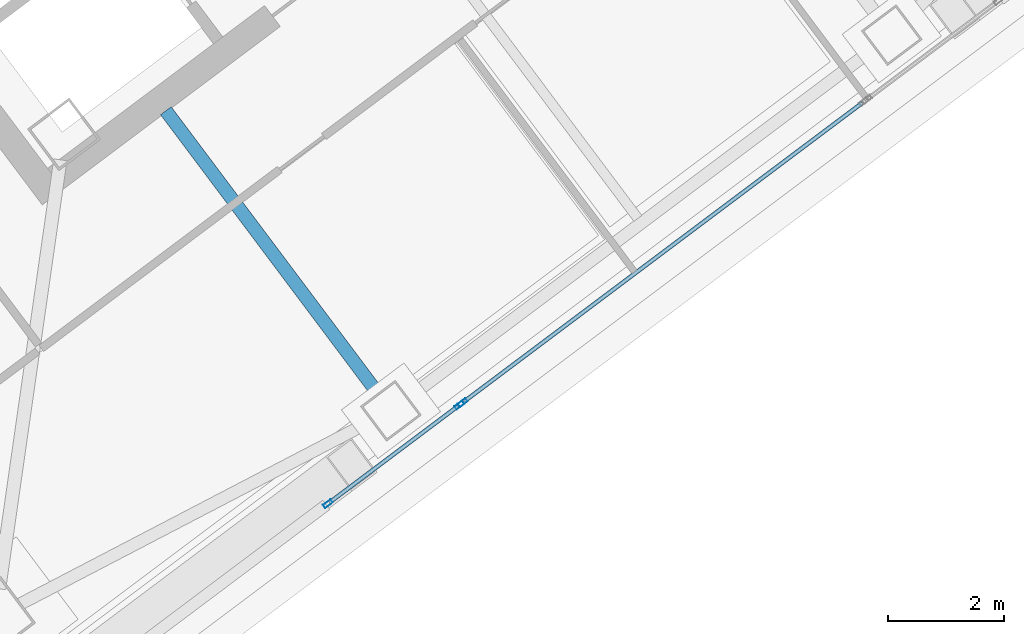
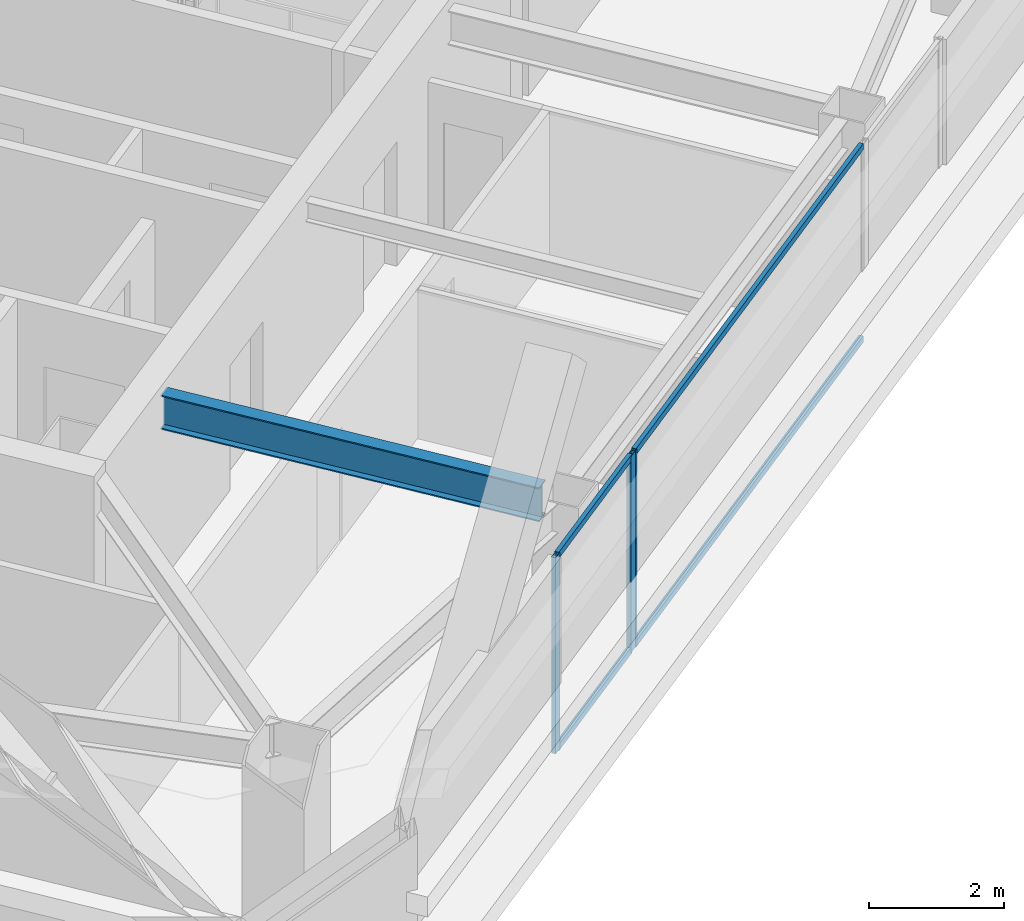
# One storey, part 22 of 39: 7 members, 1 beam, 2 elements without a shape of their own.
"""IFC4 building model written with IfcOpenShell, lengths in metres."""

from ifc_helpers import new_model, si_unit, direction, frame, origin, origin_2d, place, context, subcontext, project, spatial, hollow_rectangle, i_section, extrude, material, material_profile, profile_set, type_object, element, aggregate, save


model = new_model("IFC4")

# Units and contexts
model_context = context("Model", 3, precision=1e-05, world=origin(), true_north=direction((0.0, 1.0)))
body_context = subcontext(model_context, "Body", "Model", "MODEL_VIEW")
ifc_project = project(units=[si_unit("LENGTHUNIT", "METRE"), si_unit("AREAUNIT", "SQUARE_METRE"), si_unit("VOLUMEUNIT", "CUBIC_METRE"), si_unit("PLANEANGLEUNIT", "RADIAN"), si_unit("MASSUNIT", "GRAM", prefix="KILO")], contexts=[model_context])

# Site, building, storey
site_placement = place(None, origin())
site = spatial("IfcSite", under=ifc_project, at=site_placement, CompositionType="ELEMENT")
building_placement = place(site_placement, origin())
building = spatial("IfcBuilding", under=site, at=building_placement, Name="Tashvorn Skyway Center", CompositionType="ELEMENT")
storey_placement = place(building_placement, frame((0.0, 0.0, 232.60009765625)))
storey = spatial("IfcBuildingStorey", under=building, at=storey_placement, Name="L63", CompositionType="ELEMENT", Elevation=232.60009765625)

# Beam
ifc_material_1 = material(Name="Steel ASTM A992 Grade 50", Category="steel")
ifc_material_profile_1 = material_profile(ifc_material_1, i_section(OverallWidth=0.22998046875, OverallDepth=0.616943359375, WebThickness=0.01318359375, FlangeThickness=0.022216796875, at=origin_2d()), Name="W24X94")
ifc_profile_set_1 = profile_set([ifc_material_profile_1], Name="Steel ASTM A992 Grade 50")
beam_type = type_object("IfcBeamType", Name="BM-BEAM-W24X94", PredefinedType="BEAM", material=ifc_profile_set_1)
beam_placement = place(storey_placement, frame((118.008056640625, 17.656005859375, 3.0615234375), z_axis=(-0.600025614447, 0.799980788524, 0.0), x_axis=(-0.799980788524, -0.600025614447, 0.0)))
element("IfcBeam", 1, at=beam_placement, inside=storey, type_object=beam_type, Name="Tower 2 L63 Primary Floor Girder FC-S1", PredefinedType="BEAM", context=body_context, shape_type="SweptSolid", body=[
    extrude(i_section(OverallWidth=0.22998046875, OverallDepth=0.616943359375, WebThickness=0.01318359375, FlangeThickness=0.022216796875, at=origin_2d()), origin(), (0.0, 0.0, 1.0), 6.10009765625),
])

# Curtain wall, member
ifc_material_2 = material(Name="Thermally broken bronze-anodized aluminium 6063-T6", Category="aluminium")
curtain_wall_type = type_object("IfcCurtainWallType", Name="CW-CW-Z5", PredefinedType="NOTDEFINED", material=ifc_material_2)
curtain_wall_1_placement = place(storey_placement, origin())
curtain_wall_1 = element("IfcCurtainWall", 2, at=curtain_wall_1_placement, inside=storey, type_object=curtain_wall_type, Name="Tower 2 L63 South Unitised Curtain Wall Glazing Group 2", PredefinedType="NOTDEFINED")
ifc_material_profile_2 = material_profile(ifc_material_2, hollow_rectangle(XDim=0.070068359375, YDim=0.1650390625, WallThickness=0.00390625, at=origin_2d()), Name="ALU-MULL-70x165")
ifc_profile_set_2 = profile_set([ifc_material_profile_2], Name="Thermally broken bronze-anodized aluminium 6063-T6")
member_type_1 = type_object("IfcMemberType", Name="CWM-CW-Z5", PredefinedType="MULLION", material=ifc_profile_set_2)
member_1_placement = place(storey_placement, frame((119.468017578125, 17.5009765625, 0.0), z_axis=(0.0, 0.0, 1.0), x_axis=(0.600000000002, -0.799999999998, 0.0)))
member_1 = element("IfcMember", 3, at=member_1_placement, type_object=member_type_1, Name="CW-Z5 mullion 2", PredefinedType="MULLION", context=body_context, shape_type="SweptSolid", body=[
    extrude(hollow_rectangle(XDim=0.070068359375, YDim=0.1650390625, WallThickness=0.00390625, at=origin_2d()), origin(), (0.0, 0.0, 1.0), 3.5498046875),
])

# Curtain wall, members
curtain_wall_2_placement = place(storey_placement, origin())
curtain_wall_2 = element("IfcCurtainWall", 4, at=curtain_wall_2_placement, inside=storey, type_object=curtain_wall_type, Name="Tower 2 L63 South Unitised Curtain Wall Glazing Group 3", PredefinedType="NOTDEFINED")
member_2_placement = place(storey_placement, frame((119.412109375, 17.458984375, 0.0), z_axis=(0.0, 0.0, 1.0), x_axis=(0.600005504617, -0.799995871508, 0.0)))
member_2 = element("IfcMember", 5, at=member_2_placement, type_object=member_type_1, Name="CW-Z5 mullion 1", PredefinedType="MULLION", context=body_context, shape_type="SweptSolid", body=[
    extrude(hollow_rectangle(XDim=0.070068359375, YDim=0.1650390625, WallThickness=0.00390625, at=origin_2d()), origin(), (0.0, 0.0, 1.0), 3.5498046875),
])
member_3_placement = place(storey_placement, frame((117.142578125, 15.757080078125, 0.0), z_axis=(0.0, 0.0, 1.0), x_axis=(0.600005504617, -0.799995871508, 0.0)))
member_3 = element("IfcMember", 6, at=member_3_placement, type_object=member_type_1, Name="CW-Z5 mullion 2", PredefinedType="MULLION", context=body_context, shape_type="SweptSolid", body=[
    extrude(hollow_rectangle(XDim=0.070068359375, YDim=0.1650390625, WallThickness=0.00390625, at=origin_2d()), origin(), (0.0, 0.0, 1.0), 3.5498046875),
])

# Member
ifc_material_profile_3 = material_profile(ifc_material_2, hollow_rectangle(XDim=0.070068359375, YDim=0.114990234375, WallThickness=0.00390625, at=origin_2d()), Name="ALU-TRAN-70x115")
ifc_profile_set_3 = profile_set([ifc_material_profile_3], Name="Thermally broken bronze-anodized aluminium 6063-T6")
member_type_2 = type_object("IfcMemberType", Name="CWT-CW-Z5", PredefinedType="USERDEFINED", material=ifc_profile_set_3)
member_4_placement = place(storey_placement, frame((126.360107421875, 22.669921875, 0.034912109375), z_axis=(-0.800003414549, -0.599995447241, 0.0), x_axis=(0.599995447241, -0.800003414549, 0.0)))
member_4 = element("IfcMember", 7, at=member_4_placement, type_object=member_type_2, Name="CW-Z5 transom 1.1", ObjectType="TRANSOM", PredefinedType="USERDEFINED", context=body_context, shape_type="SweptSolid", body=[
    extrude(hollow_rectangle(XDim=0.070068359375, YDim=0.114990234375, WallThickness=0.00390625, at=origin_2d()), origin(), (0.0, 0.0, 1.0), 8.580078125),
])

member_5_placement = place(storey_placement, frame((126.360107421875, 22.669921875, 3.514892578125), z_axis=(-0.800003414549, -0.599995447241, 0.0), x_axis=(0.599995447241, -0.800003414549, 0.0)))
member_5 = element("IfcMember", 8, at=member_5_placement, type_object=member_type_2, Name="CW-Z5 transom 1.2", ObjectType="TRANSOM", PredefinedType="USERDEFINED", context=body_context, shape_type="SweptSolid", body=[
    extrude(hollow_rectangle(XDim=0.070068359375, YDim=0.114990234375, WallThickness=0.00390625, at=origin_2d()), origin(), (0.0, 0.0, 1.0), 8.580078125),
])

aggregate(curtain_wall_1, [member_1, member_4, member_5])

member_6_placement = place(storey_placement, frame((119.384033203125, 17.43798828125, 0.034912109375), z_axis=(-0.80002117809, -0.599971761508, 0.0), x_axis=(0.599971761508, -0.80002117809, 0.0)))
member_6 = element("IfcMember", 9, at=member_6_placement, type_object=member_type_2, Name="CW-Z5 transom 1.1", ObjectType="TRANSOM", PredefinedType="USERDEFINED", context=body_context, shape_type="SweptSolid", body=[
    extrude(hollow_rectangle(XDim=0.070068359375, YDim=0.114990234375, WallThickness=0.00390625, at=origin_2d()), origin(), (0.0, 0.0, 1.0), 2.7666015625),
])

member_7_placement = place(storey_placement, frame((119.384033203125, 17.43798828125, 3.514892578125), z_axis=(-0.80002117809, -0.599971761508, 0.0), x_axis=(0.599971761508, -0.80002117809, 0.0)))
member_7 = element("IfcMember", 10, at=member_7_placement, type_object=member_type_2, Name="CW-Z5 transom 1.2", ObjectType="TRANSOM", PredefinedType="USERDEFINED", context=body_context, shape_type="SweptSolid", body=[
    extrude(hollow_rectangle(XDim=0.070068359375, YDim=0.114990234375, WallThickness=0.00390625, at=origin_2d()), origin(), (0.0, 0.0, 1.0), 2.7666015625),
])

aggregate(curtain_wall_2, [member_2, member_3, member_6, member_7])

save(model, "model.ifc")
